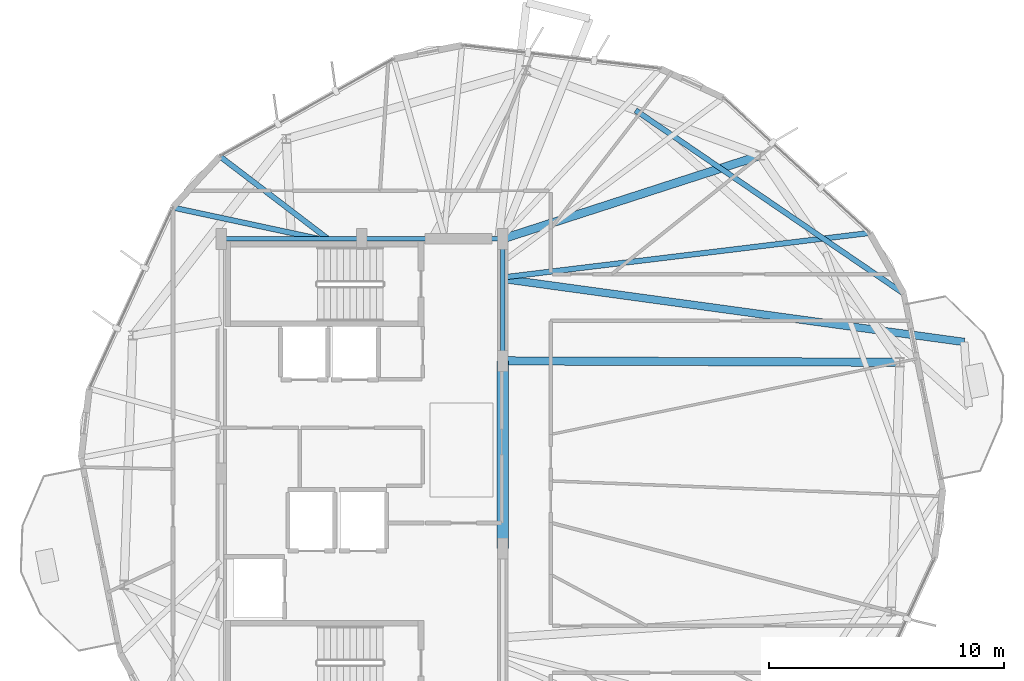
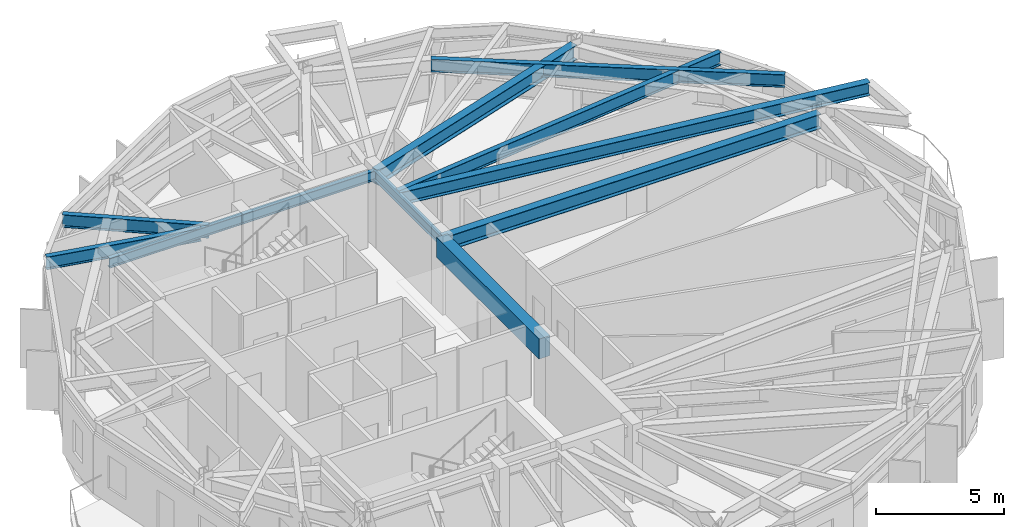
# One storey, part 8 of 25: 11 beams.
"""IFC4 building model written with IfcOpenShell, lengths in metres."""

import ifcopenshell
import ifcopenshell.guid

model = None  # the IFC model being written
_history = None  # IfcOwnerHistory: only IFC2X3 demands one
_inside = {}  # id of a spatial element -> (the spatial element, [elements in it])
_under = {}  # id of a project, library or spatial element -> (it, [spatial elements below it])
_declared = {}  # id of a project -> (the project, [libraries it declares])
_typed = {}  # id of a type object -> (the type object, [elements of that type])
_made_of = {}  # id of a material, layer set ... -> (it, [elements and type objects made of it])


def new_model(schema):
    """Start an empty IFC model of exactly this schema.

    Asked for "IFC4X3", IfcOpenShell would pick the latest addendum, in which some entities
    have other attributes; the version numbers below select the first issue.
    IFC2X3 requires an IfcOwnerHistory on every rooted entity: one is made here for all.
    """
    global model, _history
    if schema == "IFC4X3":
        model = ifcopenshell.file(schema_version=(4, 3, 0, 0))
    else:
        model = ifcopenshell.file(schema=schema)
    _inside.clear()
    _under.clear()
    _declared.clear()
    _typed.clear()
    _made_of.clear()
    _history = None
    if model.schema == "IFC2X3":
        org = make("IfcOrganization", Name="unknown")
        user = make(
            "IfcPersonAndOrganization",
            ThePerson=make("IfcPerson", FamilyName="unknown"),
            TheOrganization=org,
        )
        app = make(
            "IfcApplication",
            ApplicationDeveloper=org,
            Version="unknown",
            ApplicationFullName="unknown",
            ApplicationIdentifier="unknown",
        )
        _history = make(
            "IfcOwnerHistory",
            OwningUser=user,
            OwningApplication=app,
            ChangeAction="ADDED",
            CreationDate=0,
        )
    return model


def make(cls, **values):
    """One entity of the class cls with the attributes given. An attribute that is None is left unset."""
    return model.create_entity(
        cls, **{name: value for name, value in values.items() if value is not None}
    )


def rooted(cls, **values):
    """An entity with a GlobalId (a new one), such as an element, a storey or a relation."""
    return make(cls, GlobalId=ifcopenshell.guid.new(), OwnerHistory=_history, **values)


def si_unit(unit_type, name, prefix=None):
    """IfcSIUnit, for example si_unit("LENGTHUNIT", "METRE", prefix="MILLI")."""
    return make("IfcSIUnit", UnitType=unit_type, Prefix=prefix, Name=name)


def assignment(units):
    """IfcUnitAssignment: the units of a project."""
    return None if units is None else make("IfcUnitAssignment", Units=units)


def point(xyz):
    """IfcCartesianPoint."""
    return None if xyz is None else make("IfcCartesianPoint", Coordinates=xyz)


def direction(xyz):
    """IfcDirection."""
    return None if xyz is None else make("IfcDirection", DirectionRatios=xyz)


def frame(location, z_axis=None, x_axis=None):
    """IfcAxis2Placement3D, a coordinate frame: its origin and axes. An axis left out is left unset."""
    return make(
        "IfcAxis2Placement3D",
        Location=point(location),
        Axis=direction(z_axis),
        RefDirection=direction(x_axis),
    )


def frame_2d(location, x_axis=None):
    """IfcAxis2Placement2D, a coordinate frame in the plane: its origin and x axis."""
    return make(
        "IfcAxis2Placement2D", Location=point(location), RefDirection=direction(x_axis)
    )


def origin():
    """The frame at (0, 0, 0) with its axes left unset."""
    return frame((0.0, 0.0, 0.0))


def origin_2d():
    """The frame at (0, 0) in the plane with its x axis left unset."""
    return frame_2d((0.0, 0.0))


def place(relative_to, where):
    """IfcLocalPlacement: puts the frame where relative to a parent placement (None: the world)."""
    return make(
        "IfcLocalPlacement", PlacementRelTo=relative_to, RelativePlacement=where
    )


def context(
    kind, dimensions, precision=None, world=None, true_north=None, identifier=None
):
    """IfcGeometricRepresentationContext, for example the 3D "Model" context."""
    return make(
        "IfcGeometricRepresentationContext",
        ContextIdentifier=identifier,
        ContextType=kind,
        CoordinateSpaceDimension=dimensions,
        Precision=precision,
        WorldCoordinateSystem=world,
        TrueNorth=true_north,
    )


def subcontext(parent, identifier, kind, view, scale=None):
    """IfcGeometricRepresentationSubContext, for example "Body" below "Model"."""
    return make(
        "IfcGeometricRepresentationSubContext",
        ContextIdentifier=identifier,
        ContextType=kind,
        ParentContext=parent,
        TargetScale=scale,
        TargetView=view,
    )


def project(units=None, contexts=None):
    """IfcProject with its units and contexts."""
    return rooted(
        "IfcProject",
        Name="project",
        RepresentationContexts=contexts,
        UnitsInContext=assignment(units),
    )


def spatial(cls, under=None, at=None, **own):
    """A site, building, storey or space (cls), placed at a placement, below another one or the project."""
    s = rooted(cls, ObjectPlacement=at, **own)
    if under is not None:
        _under.setdefault(under.id(), (under, []))[1].append(s)
    return s


def profile(cls, at=None, kind="AREA", **sizes):
    """A parametric profile (cls). Its sizes go by their IFC names, for example OverallWidth=200.0."""
    return make(cls, ProfileType=kind, Position=at, **sizes)


def rectangle(**sizes):
    """IfcRectangleProfileDef."""
    return profile("IfcRectangleProfileDef", **sizes)


def i_section(**sizes):
    """IfcIShapeProfileDef."""
    return profile("IfcIShapeProfileDef", **sizes)


def extrude(swept, where, along, depth):
    """IfcExtrudedAreaSolid: the profile swept, set in the frame where, extruded along a direction by depth."""
    return make(
        "IfcExtrudedAreaSolid",
        SweptArea=swept,
        Position=where,
        ExtrudedDirection=direction(along),
        Depth=depth,
    )


def shape(context_of_items, identifier, shape_type, items):
    """IfcShapeRepresentation: the items that make up one representation, for example the "Body"."""
    return make(
        "IfcShapeRepresentation",
        ContextOfItems=context_of_items,
        RepresentationIdentifier=identifier,
        RepresentationType=shape_type,
        Items=items,
    )


def material(Name=None, Category=None):
    """IfcMaterial."""
    return make("IfcMaterial", Name=Name, Category=Category)


def material_profile(
    of_material, cross_section, Name=None, Category=None, Priority=None
):
    """IfcMaterialProfile: a cross section and its material."""
    return make(
        "IfcMaterialProfile",
        Name=Name,
        Material=of_material,
        Profile=cross_section,
        Priority=Priority,
        Category=Category,
    )


def profile_set(profiles, Name=None, composite=None):
    """IfcMaterialProfileSet."""
    return make(
        "IfcMaterialProfileSet",
        Name=Name,
        MaterialProfiles=profiles,
        CompositeProfile=composite,
    )


def made_of(thing, what):
    """Note that an element or type object is made of a material, layer set ...; save() writes the relation."""
    if what is not None:
        _made_of.setdefault(what.id(), (what, []))[1].append(thing)
    return thing


def type_object(cls, material=None, **own):
    """A type object (cls), such as IfcWallType, which elements share."""
    return made_of(rooted(cls, **own), material)


def element(
    cls,
    number,
    at=None,
    inside=None,
    cuts=None,
    type_object=None,
    material=None,
    context=None,
    identifier="Body",
    shape_type=None,
    held_by="IfcProductDefinitionShape",
    body=None,
    shapes=None,
    **own,
):
    """One element of the class cls, such as IfcWall. Its Tag is "e" and its number.

    at: its placement. inside: the storey or other place that contains it. cuts: it is an
    opening in that element (IfcRelVoidsElement). A single representation is given by context,
    identifier, shape_type and body (its items); several are given by shapes. held_by: the class
    of the entity that holds the representations. save() writes the other relations.
    """
    e = rooted(cls, Tag="e%d" % number, ObjectPlacement=at, **own)
    if body is not None:
        shapes = [shape(context, identifier, shape_type, body)]
    if shapes is not None:
        e.Representation = make(held_by, Representations=shapes)
    if inside is not None:
        _inside.setdefault(inside.id(), (inside, []))[1].append(e)
    if cuts is not None:
        rooted(
            "IfcRelVoidsElement", RelatingBuildingElement=cuts, RelatedOpeningElement=e
        )
    if type_object is not None:
        _typed.setdefault(type_object.id(), (type_object, []))[1].append(e)
    return made_of(e, material)


def aggregate(whole, parts):
    """IfcRelAggregates: a whole, such as a stair, and the parts it consists of."""
    return rooted("IfcRelAggregates", RelatingObject=whole, RelatedObjects=parts)


def save(model, path):
    """Write the relations noted so far, then the file.

    IfcRelAggregates (storeys below a building ...), IfcRelContainedInSpatialStructure (elements
    in a storey), IfcRelDefinesByType, IfcRelAssociatesMaterial and IfcRelDeclares: one each for
    every whole, place, type object, material and project.
    """
    for whole, parts in _under.values():
        aggregate(whole, parts)
    for where, things in _inside.values():
        rooted(
            "IfcRelContainedInSpatialStructure",
            RelatedElements=things,
            RelatingStructure=where,
        )
    for kind, things in _typed.values():
        rooted("IfcRelDefinesByType", RelatedObjects=things, RelatingType=kind)
    for what, things in _made_of.values():
        rooted("IfcRelAssociatesMaterial", RelatedObjects=things, RelatingMaterial=what)
    for by, libraries in _declared.values():
        rooted("IfcRelDeclares", RelatingContext=by, RelatedDefinitions=libraries)
    model.write(path)


model = new_model("IFC4")

# Units and contexts
model_context = context("Model", 3, precision=1e-05, world=origin(), true_north=direction((0.0, 1.0)))
body_context = subcontext(model_context, "Body", "Model", "MODEL_VIEW")
ifc_project = project(units=[si_unit("LENGTHUNIT", "METRE"), si_unit("AREAUNIT", "SQUARE_METRE"), si_unit("VOLUMEUNIT", "CUBIC_METRE"), si_unit("PLANEANGLEUNIT", "RADIAN"), si_unit("MASSUNIT", "GRAM", prefix="KILO")], contexts=[model_context])

# Site, building, storey
site_placement = place(None, origin())
site = spatial("IfcSite", under=ifc_project, at=site_placement, CompositionType="ELEMENT")
building_placement = place(site_placement, origin())
building = spatial("IfcBuilding", under=site, at=building_placement, Name="Soratama Intermodal Tower", CompositionType="ELEMENT")
storey_placement = place(building_placement, frame((0.0, 0.0, 272.5)))
storey = spatial("IfcBuildingStorey", under=building, at=storey_placement, Name="L69", CompositionType="ELEMENT", Elevation=272.5)

# Beams
ifc_material_1 = material(Name="Structural steel ASTM A992 Grade 50", Category="steel")
ifc_material_profile_1 = material_profile(ifc_material_1, i_section(OverallWidth=0.324951171875, OverallDepth=0.615966796875, WebThickness=0.013916015625, FlangeThickness=0.021484375, FilletRadius=0.013916015625, at=origin_2d()), Name="W24X117")
ifc_profile_set_1 = profile_set([ifc_material_profile_1], Name="Structural steel ASTM A992 Grade 50")
beam_type_1 = type_object("IfcBeamType", Name="BM-CANT-W24X117", PredefinedType="BEAM", material=ifc_profile_set_1)
beam_1_placement = place(storey_placement, frame((44.639892578125, 33.291015625, 3.14208984375), z_axis=(0.990769660351, -0.135556188084, 0.0), x_axis=(0.135556188084, 0.990769660351, 0.0)))
element("IfcBeam", 1, at=beam_1_placement, inside=storey, type_object=beam_type_1, Name="BM-L69-CANT-1-2", PredefinedType="BEAM", context=body_context, shape_type="SweptSolid", body=[
    extrude(i_section(OverallWidth=0.324951171875, OverallDepth=0.615966796875, WebThickness=0.013916015625, FlangeThickness=0.021484375, FilletRadius=0.013916015625, at=origin_2d()), origin(), (0.0, 0.0, 1.0), 19.822021484375),
])
ifc_material_2 = material(Name="Concrete f'c 56 MPa", Category="concrete")
ifc_material_profile_2 = material_profile(ifc_material_2, rectangle(XDim=0.5, YDim=0.949951171875, at=origin_2d()), Name="RC500X950")
ifc_profile_set_2 = profile_set([ifc_material_profile_2], Name="Concrete f'c 56 MPa")
beam_type_2 = type_object("IfcBeamType", Name="BM-CPL-RC500X950", PredefinedType="BEAM", material=ifc_profile_set_2)
beam_2_placement = place(storey_placement, frame((44.60009765625, 21.800048828125, 2.97509765625), z_axis=(0.0, 1.0, 0.0), x_axis=(-1.0, 0.0, 0.0)))
element("IfcBeam", 2, at=beam_2_placement, inside=storey, type_object=beam_type_2, Name="L69 Core Coupling Beam East", PredefinedType="BEAM", context=body_context, shape_type="SweptSolid", body=[
    extrude(rectangle(XDim=0.5, YDim=0.949951171875, at=origin_2d()), origin(), (0.0, 0.0, 1.0), 8.0),
])
ifc_material_3 = material(Name="Structural steel ASTM A992 Grade 50", Category="steel")
ifc_material_profile_3 = material_profile(ifc_material_3, i_section(OverallWidth=0.19091796875, OverallDepth=0.4599609375, WebThickness=0.010009765625, FlangeThickness=0.01611328125, FilletRadius=0.010986328125, at=origin_2d()), Name="W18X55")
ifc_profile_set_3 = profile_set([ifc_material_profile_3], Name="Structural steel ASTM A992 Grade 50")
beam_type_3 = type_object("IfcBeamType", Name="BM-FLR-W18X55", PredefinedType="BEAM", material=ifc_profile_set_3)
beam_3_placement = place(storey_placement, frame((44.60009765625, 29.800048828125, 3.219970703125), z_axis=(0.0, 1.0, 0.0), x_axis=(-1.0, 0.0, 0.0)))
element("IfcBeam", 3, at=beam_3_placement, inside=storey, type_object=beam_type_3, Name="BM-L69-CRING-05", PredefinedType="BEAM", context=body_context, shape_type="SweptSolid", body=[
    extrude(i_section(OverallWidth=0.19091796875, OverallDepth=0.4599609375, WebThickness=0.010009765625, FlangeThickness=0.01611328125, FilletRadius=0.010986328125, at=origin_2d()), origin(), (0.0, 0.0, 1.0), 5.199951171875),
])
for number, where, z_axis, x_axis, name in (
    (4, (44.60009765625, 35.0, 3.219970703125), (-1.0, 0.0, 0.0), (0.0, -1.0, 0.0), "BM-L69-CRING-06"),
    (5, (38.60009765625, 35.0, 3.219970703125), (-1.0, 0.0, 0.0), (0.0, -1.0, 0.0), "BM-L69-CRING-07"),
):
    element("IfcBeam", number, at=place(storey_placement, frame(where, z_axis=z_axis, x_axis=x_axis)), inside=storey, type_object=beam_type_3, Name=name, PredefinedType="BEAM", context=body_context, shape_type="SweptSolid", body=[
        extrude(i_section(OverallWidth=0.19091796875, OverallDepth=0.4599609375, WebThickness=0.010009765625, FlangeThickness=0.01611328125, FilletRadius=0.010986328125, at=origin_2d()), origin(), (0.0, 0.0, 1.0), 6.0),
    ])
ifc_material_4 = material(Name="Structural steel ASTM A992 Grade 50", Category="steel")
ifc_material_profile_4 = material_profile(ifc_material_4, i_section(OverallWidth=0.35498046875, OverallDepth=0.695068359375, WebThickness=0.015380859375, FlangeThickness=0.02490234375, FilletRadius=0.01611328125, at=origin_2d()), Name="W27X146")
ifc_profile_set_4 = profile_set([ifc_material_profile_4], Name="Structural steel ASTM A992 Grade 50")
beam_type_4 = type_object("IfcBeamType", Name="BM-RING-W27X146", PredefinedType="BEAM", material=ifc_profile_set_4)
beam_4_placement = place(storey_placement, frame((44.60009765625, 29.800048828125, 3.1025390625), z_axis=(0.999993913522, -0.003488971138, 0.0), x_axis=(0.003488971138, 0.999993913522, 0.0)))
element("IfcBeam", 6, at=beam_4_placement, inside=storey, type_object=beam_type_4, Name="BM-L69-RAD-01", PredefinedType="BEAM", context=body_context, shape_type="SweptSolid", body=[
    extrude(i_section(OverallWidth=0.35498046875, OverallDepth=0.695068359375, WebThickness=0.015380859375, FlangeThickness=0.02490234375, FilletRadius=0.01611328125, at=origin_2d()), origin(), (0.0, 0.0, 1.0), 16.933837890625),
])
beam_5_placement = place(storey_placement, frame((44.60009765625, 35.0, 3.1025390625), z_axis=(0.95147783512, 0.307717287904, 0.0), x_axis=(-0.307717287904, 0.95147783512, 0.0)))
element("IfcBeam", 7, at=beam_5_placement, inside=storey, type_object=beam_type_4, Name="BM-L69-RAD-02", PredefinedType="BEAM", context=body_context, shape_type="SweptSolid", body=[
    extrude(i_section(OverallWidth=0.35498046875, OverallDepth=0.695068359375, WebThickness=0.015380859375, FlangeThickness=0.02490234375, FilletRadius=0.01611328125, at=origin_2d()), origin(), (0.0, 0.0, 1.0), 11.54931640625),
])
ifc_material_5 = material(Name="Structural steel ASTM A992 Grade 50", Category="steel")
ifc_material_profile_5 = material_profile(ifc_material_5, i_section(OverallWidth=0.22900390625, OverallDepth=0.612060546875, WebThickness=0.011962890625, FlangeThickness=0.01953125, FilletRadius=0.012939453125, at=origin_2d()), Name="W24X84")
ifc_profile_set_5 = profile_set([ifc_material_profile_5], Name="Structural steel ASTM A992 Grade 50")
beam_type_5 = type_object("IfcBeamType", Name="BM-TIE-W24X84", PredefinedType="BEAM", material=ifc_profile_set_5)
beam_6_placement = place(storey_placement, frame((37.125, 35.02392578125, 3.14404296875), z_axis=(-0.79492918111, 0.606702230934, 0.0), x_axis=(-0.606702230934, -0.79492918111, 0.0)))
element("IfcBeam", 8, at=beam_6_placement, inside=storey, type_object=beam_type_5, Name="BM-L69-TIE1-02", PredefinedType="BEAM", context=body_context, shape_type="SweptSolid", body=[
    extrude(i_section(OverallWidth=0.22900390625, OverallDepth=0.612060546875, WebThickness=0.011962890625, FlangeThickness=0.01953125, FilletRadius=0.012939453125, at=origin_2d()), origin(), (0.0, 0.0, 1.0), 5.757568359375),
])
beam_7_placement = place(storey_placement, frame((36.740966796875, 35.008056640625, 3.14404296875), z_axis=(-0.977828305467, 0.209408225789, 0.0), x_axis=(-0.209408225789, -0.977828305467, 0.0)))
element("IfcBeam", 9, at=beam_7_placement, inside=storey, type_object=beam_type_5, Name="BM-L69-TIE0-03", PredefinedType="BEAM", context=body_context, shape_type="SweptSolid", body=[
    extrude(i_section(OverallWidth=0.22900390625, OverallDepth=0.612060546875, WebThickness=0.011962890625, FlangeThickness=0.01953125, FilletRadius=0.012939453125, at=origin_2d()), origin(), (0.0, 0.0, 1.0), 6.345703125),
])
beam_8_placement = place(storey_placement, frame((50.26806640625, 40.47998046875, 3.14404296875), z_axis=(0.825605910416, -0.564247180486, 0.0), x_axis=(0.564247180486, 0.825605910416, 0.0)))
element("IfcBeam", 10, at=beam_8_placement, inside=storey, type_object=beam_type_5, Name="BM-L69-TIE1-09", PredefinedType="BEAM", context=body_context, shape_type="SweptSolid", body=[
    extrude(i_section(OverallWidth=0.22900390625, OverallDepth=0.612060546875, WebThickness=0.011962890625, FlangeThickness=0.01953125, FilletRadius=0.012939453125, at=origin_2d()), origin(), (0.0, 0.0, 1.0), 13.85009765625),
])
beam_9_placement = place(storey_placement, frame((44.639892578125, 33.361083984375, 3.14404296875), z_axis=(0.992737771465, 0.12029845014, 0.0), x_axis=(-0.12029845014, 0.992737771465, 0.0)))
element("IfcBeam", 11, at=beam_9_placement, inside=storey, type_object=beam_type_5, Name="BM-L69-TIE0-10", PredefinedType="BEAM", context=body_context, shape_type="SweptSolid", body=[
    extrude(i_section(OverallWidth=0.22900390625, OverallDepth=0.612060546875, WebThickness=0.011962890625, FlangeThickness=0.01953125, FilletRadius=0.012939453125, at=origin_2d()), origin(), (0.0, 0.0, 1.0), 15.726318359375),
])

save(model, "model.ifc")
